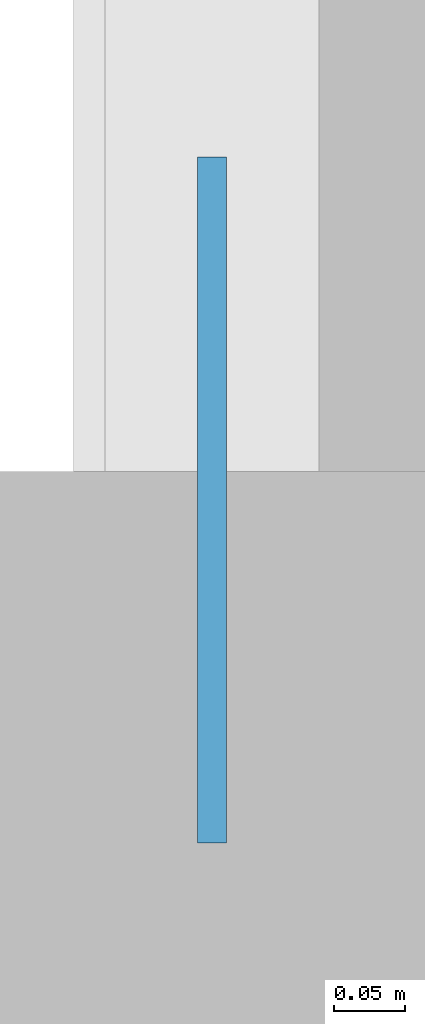
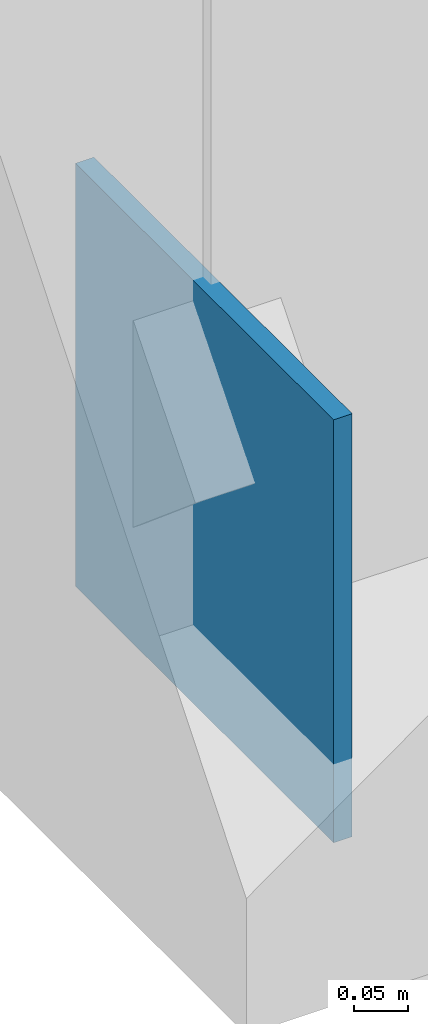
# One storey, part 16 of 28: 1 plate.
"""IFC4 building model written with IfcOpenShell, lengths in metres."""

from ifc_helpers import new_model, si_unit, direction, frame, origin, origin_2d, place, context, subcontext, project, spatial, rectangle, extrude, material, layer, layer_set, type_object, element, save


model = new_model("IFC4")

# Units and contexts
model_context = context("Model", 3, precision=1e-05, world=origin(), true_north=direction((0.0, 1.0)))
body_context = subcontext(model_context, "Body", "Model", "MODEL_VIEW")
ifc_project = project(units=[si_unit("LENGTHUNIT", "METRE"), si_unit("AREAUNIT", "SQUARE_METRE"), si_unit("VOLUMEUNIT", "CUBIC_METRE"), si_unit("PLANEANGLEUNIT", "RADIAN"), si_unit("MASSUNIT", "GRAM", prefix="KILO")], contexts=[model_context])

# Site, building, storey
site_placement = place(None, origin())
site = spatial("IfcSite", under=ifc_project, at=site_placement, CompositionType="ELEMENT")
building_placement = place(site_placement, origin())
building = spatial("IfcBuilding", under=site, at=building_placement, Name="Xicomal Pleat Aquarium", CompositionType="ELEMENT")
storey_placement = place(building_placement, frame((0.0, 0.0, 15.300048828125)))
storey = spatial("IfcBuildingStorey", under=building, at=storey_placement, Name="L04", CompositionType="ELEMENT", Elevation=15.300048828125)

# Plate
ifc_material = material(Name="Structural steel A992 Gr 50", Category="steel")
ifc_layer = layer(ifc_material, 0.02001953125)
ifc_layer_set = layer_set([ifc_layer], Name="Structural steel A992 Gr 50")
plate_type = type_object("IfcPlateType", Name="PLT-CAP-20", PredefinedType="SHEET", material=ifc_layer_set)
plate_placement = place(storey_placement, frame((3.0, 53.47998046875, -0.090087890625), z_axis=(0.0, 0.0, 1.0), x_axis=(0.0, 1.0, 0.0)))
element("IfcPlate", 1, at=plate_placement, inside=storey, type_object=plate_type, Name="L04 HSS end cap plate 10", PredefinedType="SHEET", context=body_context, shape_type="SweptSolid", body=[
    extrude(rectangle(XDim=0.47998046875, YDim=0.02001953125, at=origin_2d()), origin(), (0.0, 0.0, 1.0), 0.47998046875),
])

save(model, "model.ifc")
